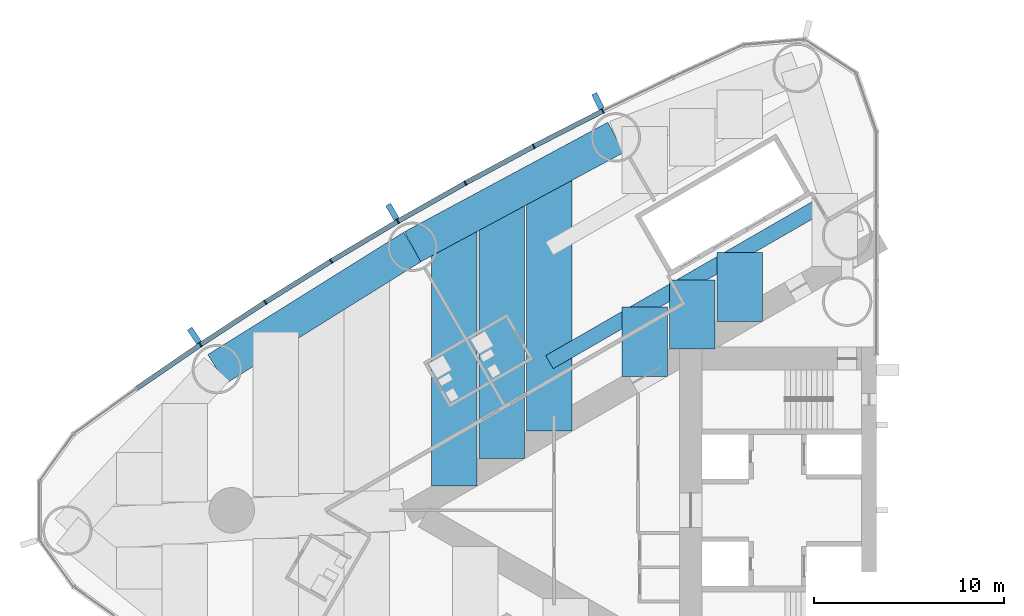
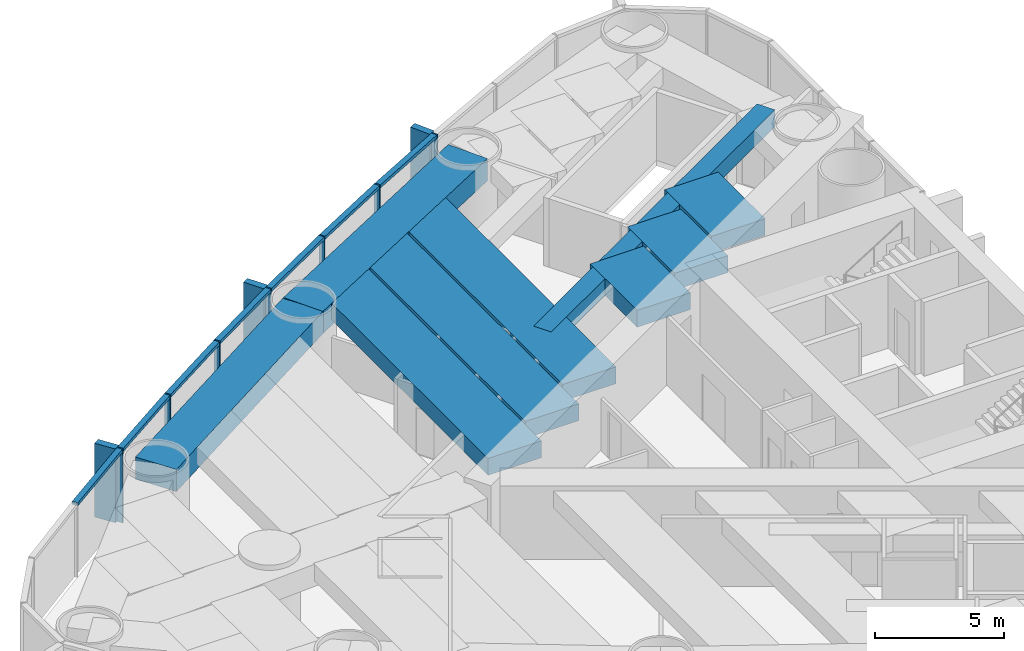
# One storey, part 4 of 19: 17 members, 9 beams, 1 element without a shape of its own.
"""IFC4 building model written with IfcOpenShell, lengths in metres."""

from ifc_helpers import new_model, si_unit, direction, frame, origin, origin_2d, place, context, subcontext, project, spatial, rectangle, hollow_rectangle, extrude, material, material_profile, profile_set, type_object, element, aggregate, save


model = new_model("IFC4")

# Units and contexts
model_context = context("Model", 3, precision=1e-05, world=origin(), true_north=direction((0.0, 1.0)))
body_context = subcontext(model_context, "Body", "Model", "MODEL_VIEW")
ifc_project = project(units=[si_unit("LENGTHUNIT", "METRE"), si_unit("AREAUNIT", "SQUARE_METRE"), si_unit("VOLUMEUNIT", "CUBIC_METRE"), si_unit("PLANEANGLEUNIT", "RADIAN"), si_unit("MASSUNIT", "GRAM", prefix="KILO")], contexts=[model_context])

# Site, building, storey
site_placement = place(None, origin())
site = spatial("IfcSite", under=ifc_project, at=site_placement, CompositionType="ELEMENT")
building_placement = place(site_placement, origin())
building = spatial("IfcBuilding", under=site, at=building_placement, Name="Lancet Gate Hotel", CompositionType="ELEMENT")
storey_placement = place(building_placement, frame((0.0, 0.0, 111.60009765625)))
storey = spatial("IfcBuildingStorey", under=building, at=storey_placement, Name="L29", CompositionType="ELEMENT", Elevation=111.60009765625)

# Curtain wall, members
ifc_material_1 = material(Name="Aluminium curtain wall", Category="aluminium")
curtain_wall_type = type_object("IfcCurtainWallType", Name="Tower unitised curtain wall", PredefinedType="USERDEFINED", material=ifc_material_1)
curtain_wall_placement = place(storey_placement, origin())
curtain_wall = element("IfcCurtainWall", 1, at=curtain_wall_placement, inside=storey, type_object=curtain_wall_type, Name="T1 L29 curtain wall 1", ObjectType="UNITISED CURTAIN WALL", PredefinedType="USERDEFINED")
ifc_material_2 = material(Name="Aluminium mullion", Category="aluminium")
ifc_material_profile_1 = material_profile(ifc_material_2, rectangle(XDim=0.06494140625, YDim=0.25, at=origin_2d()), Name="MULLION 65x250")
ifc_profile_set_1 = profile_set([ifc_material_profile_1], Name="Aluminium mullion")
member_type_1 = type_object("IfcMemberType", Name="Aluminium mullion 65x250", PredefinedType="MULLION", material=ifc_profile_set_1)
member_1_placement = place(storey_placement, frame((-41.935302734375, 21.053466796875, 0.0), z_axis=(0.0, 0.0, 1.0), x_axis=(-0.895339445458, -0.445384415317, 0.0)))
member_1 = element("IfcMember", 2, at=member_1_placement, type_object=member_type_1, Name="T1 L29 curtain wall 1 mullion 9", PredefinedType="MULLION", context=body_context, shape_type="SweptSolid", body=[
    extrude(rectangle(XDim=0.06494140625, YDim=0.25, at=origin_2d()), origin(), (0.0, 0.0, 1.0), 3.5),
])
member_2_placement = place(storey_placement, frame((-45.578857421875, 19.19189453125, 0.0), z_axis=(0.0, 0.0, 1.0), x_axis=(-0.885544335517, -0.46455487279, 0.0)))
member_2 = element("IfcMember", 3, at=member_2_placement, type_object=member_type_1, Name="T1 L29 curtain wall 1 mullion 10", PredefinedType="MULLION", context=body_context, shape_type="SweptSolid", body=[
    extrude(rectangle(XDim=0.06494140625, YDim=0.25, at=origin_2d()), origin(), (0.0, 0.0, 1.0), 3.5),
])
member_3_placement = place(storey_placement, frame((-49.181640625, 17.252197265625, 0.0), z_axis=(0.0, 0.0, 1.0), x_axis=(-0.875338819507, -0.48351003202, 0.0)))
member_3 = element("IfcMember", 4, at=member_3_placement, type_object=member_type_1, Name="T1 L29 curtain wall 1 mullion 11", PredefinedType="MULLION", context=body_context, shape_type="SweptSolid", body=[
    extrude(rectangle(XDim=0.06494140625, YDim=0.25, at=origin_2d()), origin(), (0.0, 0.0, 1.0), 3.5),
])
member_4_placement = place(storey_placement, frame((-52.74169921875, 15.2353515625, 0.0), z_axis=(0.0, 0.0, 1.0), x_axis=(-0.86472762718, -0.502241108226, 0.0)))
member_4 = element("IfcMember", 5, at=member_4_placement, type_object=member_type_1, Name="T1 L29 curtain wall 1 mullion 12", PredefinedType="MULLION", context=body_context, shape_type="SweptSolid", body=[
    extrude(rectangle(XDim=0.06494140625, YDim=0.25, at=origin_2d()), origin(), (0.0, 0.0, 1.0), 3.5),
])
member_5_placement = place(storey_placement, frame((-56.257568359375, 13.142333984375, 0.0), z_axis=(0.0, 0.0, 1.0), x_axis=(-0.853715676299, -0.52073942048, 0.0)))
member_5 = element("IfcMember", 6, at=member_5_placement, type_object=member_type_1, Name="T1 L29 curtain wall 1 mullion 13", PredefinedType="MULLION", context=body_context, shape_type="SweptSolid", body=[
    extrude(rectangle(XDim=0.06494140625, YDim=0.25, at=origin_2d()), origin(), (0.0, 0.0, 1.0), 3.5),
])
member_6_placement = place(storey_placement, frame((-59.7275390625, 10.974365234375, 0.0), z_axis=(0.0, 0.0, 1.0), x_axis=(-0.84230807036, -0.538996395727, 0.0)))
member_6 = element("IfcMember", 7, at=member_6_placement, type_object=member_type_1, Name="T1 L29 curtain wall 1 mullion 14", PredefinedType="MULLION", context=body_context, shape_type="SweptSolid", body=[
    extrude(rectangle(XDim=0.06494140625, YDim=0.25, at=origin_2d()), origin(), (0.0, 0.0, 1.0), 3.5),
])
member_7_placement = place(storey_placement, frame((-63.14990234375, 8.73193359375, 0.0), z_axis=(0.0, 0.0, 1.0), x_axis=(-0.830510096234, -0.557003572747, 0.0)))
member_7 = element("IfcMember", 8, at=member_7_placement, type_object=member_type_1, Name="T1 L29 curtain wall 1 mullion 15", PredefinedType="MULLION", context=body_context, shape_type="SweptSolid", body=[
    extrude(rectangle(XDim=0.06494140625, YDim=0.25, at=origin_2d()), origin(), (0.0, 0.0, 1.0), 3.5),
])
ifc_material_3 = material(Name="Aluminium transom", Category="aluminium")
ifc_material_profile_2 = material_profile(ifc_material_3, rectangle(XDim=0.25, YDim=0.14990234375, at=origin_2d()), Name="TRANSOM 250x150")
ifc_profile_set_2 = profile_set([ifc_material_profile_2], Name="Aluminium transom")
member_type_2 = type_object("IfcMemberType", Name="Aluminium transom 250x150", PredefinedType="USERDEFINED", material=ifc_profile_set_2)
member_8_placement = place(storey_placement, frame((-41.96435546875, 21.038818359375, 3.4248046875), z_axis=(-0.89047617483, -0.455029869415, 0.0), x_axis=(0.455029869415, -0.89047617483, 0.0)))
member_8 = element("IfcMember", 9, at=member_8_placement, type_object=member_type_2, Name="T1 L29 curtain wall 1 transom 9", ObjectType="TRANSOM", PredefinedType="USERDEFINED", context=body_context, shape_type="SweptSolid", body=[
    extrude(rectangle(XDim=0.25, YDim=0.14990234375, at=origin_2d()), origin(), (0.0, 0.0, 1.0), 4.026611328125),
])
member_9_placement = place(storey_placement, frame((-45.607421875, 19.176513671875, 3.4248046875), z_axis=(-0.880498353192, -0.474049206335, 0.0), x_axis=(0.474049206335, -0.880498353192, 0.0)))
member_9 = element("IfcMember", 10, at=member_9_placement, type_object=member_type_2, Name="T1 L29 curtain wall 1 transom 10", ObjectType="TRANSOM", PredefinedType="USERDEFINED", context=body_context, shape_type="SweptSolid", body=[
    extrude(rectangle(XDim=0.25, YDim=0.14990234375, at=origin_2d()), origin(), (0.0, 0.0, 1.0), 4.02685546875),
])
member_10_placement = place(storey_placement, frame((-49.2099609375, 17.236083984375, 3.4248046875), z_axis=(-0.870091531013, -0.492890178091, 0.0), x_axis=(0.492890178091, -0.870091531013, 0.0)))
member_10 = element("IfcMember", 11, at=member_10_placement, type_object=member_type_2, Name="T1 L29 curtain wall 1 transom 11", ObjectType="TRANSOM", PredefinedType="USERDEFINED", context=body_context, shape_type="SweptSolid", body=[
    extrude(rectangle(XDim=0.25, YDim=0.14990234375, at=origin_2d()), origin(), (0.0, 0.0, 1.0), 4.026611328125),
])
member_11_placement = place(storey_placement, frame((-52.76953125, 15.21875, 3.4248046875), z_axis=(-0.859285270342, -0.511496651186, 0.0), x_axis=(0.511496651186, -0.859285270342, 0.0)))
member_11 = element("IfcMember", 12, at=member_11_placement, type_object=member_type_2, Name="T1 L29 curtain wall 1 transom 12", ObjectType="TRANSOM", PredefinedType="USERDEFINED", context=body_context, shape_type="SweptSolid", body=[
    extrude(rectangle(XDim=0.25, YDim=0.14990234375, at=origin_2d()), origin(), (0.0, 0.0, 1.0), 4.026611328125),
])
member_12_placement = place(storey_placement, frame((-56.28515625, 13.125244140625, 3.4248046875), z_axis=(-0.848049393821, -0.529917187531, 0.0), x_axis=(0.529917187531, -0.848049393821, 0.0)))
member_12 = element("IfcMember", 13, at=member_12_placement, type_object=member_type_2, Name="T1 L29 curtain wall 1 transom 13", ObjectType="TRANSOM", PredefinedType="USERDEFINED", context=body_context, shape_type="SweptSolid", body=[
    extrude(rectangle(XDim=0.25, YDim=0.14990234375, at=origin_2d()), origin(), (0.0, 0.0, 1.0), 4.026611328125),
])
member_13_placement = place(storey_placement, frame((-59.754638671875, 10.95654296875, 3.4248046875), z_axis=(-0.83645442085, -0.548036496815, 0.0), x_axis=(0.548036496815, -0.83645442085, 0.0)))
member_13 = element("IfcMember", 14, at=member_13_placement, type_object=member_type_2, Name="T1 L29 curtain wall 1 transom 14", ObjectType="TRANSOM", PredefinedType="USERDEFINED", context=body_context, shape_type="SweptSolid", body=[
    extrude(rectangle(XDim=0.25, YDim=0.14990234375, at=origin_2d()), origin(), (0.0, 0.0, 1.0), 4.026611328125),
])
member_14_placement = place(storey_placement, frame((-63.1767578125, 8.713623046875, 3.4248046875), z_axis=(-0.824455665247, -0.565926546508, 0.0), x_axis=(0.565926546508, -0.824455665247, 0.0)))
member_14 = element("IfcMember", 15, at=member_14_placement, type_object=member_type_2, Name="T1 L29 curtain wall 1 transom 15", ObjectType="TRANSOM", PredefinedType="USERDEFINED", context=body_context, shape_type="SweptSolid", body=[
    extrude(rectangle(XDim=0.25, YDim=0.14990234375, at=origin_2d()), origin(), (0.0, 0.0, 1.0), 4.026611328125),
])

# Beams
ifc_material_4 = material(Name="Concrete C50/60", Category="concrete")
ifc_material_profile_3 = material_profile(ifc_material_4, rectangle(XDim=1.800048828125, YDim=1.050048828125, at=origin_2d()), Name="RC 1800x1050")
ifc_profile_set_3 = profile_set([ifc_material_profile_3], Name="Concrete C50/60")
beam_type_1 = type_object("IfcBeamType", Name="Edge beam RC 1800x1050", PredefinedType="SPANDREL", material=ifc_profile_set_3)
for number, where, z_axis, x_axis, name in (
    (16, (-41.244873046875, 19.665771484375, 2.724853515625), (-0.880492350889, -0.474060354835, 0.0), (0.474060354835, -0.880492350889, 0.0), "T1 edge beam EB1 L29"),
    (17, (-51.963134765625, 13.89501953125, 2.724853515625), (-0.848062521637, -0.529896177939, 0.0), (0.529896177939, -0.848062521637, 0.0), "T1 edge beam EB1 L29"),
):
    element("IfcBeam", number, at=place(storey_placement, frame(where, z_axis=z_axis, x_axis=x_axis)), inside=storey, type_object=beam_type_1, Name=name, PredefinedType="SPANDREL", context=body_context, shape_type="SweptSolid", body=[
        extrude(rectangle(XDim=1.800048828125, YDim=1.050048828125, at=origin_2d()), origin(), (0.0, 0.0, 1.0), 12.173095703125),
    ])

# Member
ifc_material_5 = material(Name="Precast concrete C50/60", Category="concrete")
ifc_material_profile_4 = material_profile(ifc_material_5, rectangle(XDim=0.300048828125, YDim=0.89990234375, at=origin_2d()), Name="FIN 300x900")
ifc_profile_set_4 = profile_set([ifc_material_profile_4], Name="Precast concrete C50/60")
member_type_3 = type_object("IfcMemberType", Name="Exposed concrete fin 300x900", PredefinedType="USERDEFINED", material=ifc_profile_set_4)
member_15_placement = place(storey_placement, frame((-42.19140625, 21.568359375, 0.0), z_axis=(0.0, 0.0, 1.0), x_axis=(-0.895339445458, -0.445384415317, 0.0)))
member_15 = element("IfcMember", 18, at=member_15_placement, type_object=member_type_3, Name="T1 L29 curtain wall 1 fin 9", ObjectType="FIN", PredefinedType="USERDEFINED", context=body_context, shape_type="SweptSolid", body=[
    extrude(rectangle(XDim=0.300048828125, YDim=0.89990234375, at=origin_2d()), origin(), (0.0, 0.0, 1.0), 3.5),
])

member_16_placement = place(storey_placement, frame((-53.030517578125, 15.732666015625, 0.0), z_axis=(0.0, 0.0, 1.0), x_axis=(-0.86472762718, -0.502241108226, 0.0)))
member_16 = element("IfcMember", 19, at=member_16_placement, type_object=member_type_3, Name="T1 L29 curtain wall 1 fin 12", ObjectType="FIN", PredefinedType="USERDEFINED", context=body_context, shape_type="SweptSolid", body=[
    extrude(rectangle(XDim=0.300048828125, YDim=0.89990234375, at=origin_2d()), origin(), (0.0, 0.0, 1.0), 3.5),
])

member_17_placement = place(storey_placement, frame((-63.47021484375, 9.20947265625, 0.0), z_axis=(0.0, 0.0, 1.0), x_axis=(-0.830510096234, -0.557003572747, 0.0)))
member_17 = element("IfcMember", 20, at=member_17_placement, type_object=member_type_3, Name="T1 L29 curtain wall 1 fin 15", ObjectType="FIN", PredefinedType="USERDEFINED", context=body_context, shape_type="SweptSolid", body=[
    extrude(rectangle(XDim=0.300048828125, YDim=0.89990234375, at=origin_2d()), origin(), (0.0, 0.0, 1.0), 3.5),
])

aggregate(curtain_wall, [member_1, member_15, member_2, member_3, member_4, member_16, member_5, member_6, member_7, member_17, member_8, member_9, member_10, member_11, member_12, member_13, member_14])

# Beams
ifc_material_6 = material(Name="Concrete C50/60", Category="concrete")
ifc_material_profile_5 = material_profile(ifc_material_6, rectangle(XDim=2.39990234375, YDim=0.800048828125, at=origin_2d()), Name="RC 2400x800")
ifc_profile_set_5 = profile_set([ifc_material_profile_5], Name="Concrete C50/60")
beam_type_2 = type_object("IfcBeamType", Name="Floor beam RC 2400x800", PredefinedType="BEAM", material=ifc_profile_set_5)
beam_1_placement = place(storey_placement, frame((-44.747802734375, 17.77978515625, 2.849853515625), z_axis=(0.0, -1.0, 0.0), x_axis=(1.0, 0.0, 0.0)))
element("IfcBeam", 21, at=beam_1_placement, inside=storey, type_object=beam_type_2, Name="T1 floor beam F09S L29", PredefinedType="BEAM", context=body_context, shape_type="SweptSolid", body=[
    extrude(rectangle(XDim=2.39990234375, YDim=0.800048828125, at=origin_2d()), origin(), (0.0, 0.0, 1.0), 13.611083984375),
])
beam_2_placement = place(storey_placement, frame((-47.254638671875, 16.43017578125, 2.849853515625), z_axis=(0.0, -1.0, 0.0), x_axis=(1.0, 0.0, 0.0)))
element("IfcBeam", 22, at=beam_2_placement, inside=storey, type_object=beam_type_2, Name="T1 floor beam F10S L29", PredefinedType="BEAM", context=body_context, shape_type="SweptSolid", body=[
    extrude(rectangle(XDim=2.39990234375, YDim=0.800048828125, at=origin_2d()), origin(), (0.0, 0.0, 1.0), 13.708740234375),
])
beam_3_placement = place(storey_placement, frame((-49.761474609375, 15.08056640625, 2.849853515625), z_axis=(0.0, -1.0, 0.0), x_axis=(1.0, 0.0, 0.0)))
element("IfcBeam", 23, at=beam_3_placement, inside=storey, type_object=beam_type_2, Name="T1 floor beam F12S L29", PredefinedType="BEAM", context=body_context, shape_type="SweptSolid", body=[
    extrude(rectangle(XDim=2.39990234375, YDim=0.800048828125, at=origin_2d()), origin(), (0.0, 0.0, 1.0), 13.806396484375),
])
beam_4_placement = place(storey_placement, frame((-34.720458984375, 13.603759765625, 2.849853515625), z_axis=(0.0, -1.0, 0.0), x_axis=(1.0, 0.0, 0.0)))
element("IfcBeam", 24, at=beam_4_placement, inside=storey, type_object=beam_type_2, Name="T1 floor beam F04SB L29", PredefinedType="BEAM", context=body_context, shape_type="SweptSolid", body=[
    extrude(rectangle(XDim=2.39990234375, YDim=0.800048828125, at=origin_2d()), origin(), (0.0, 0.0, 1.0), 3.645751953125),
])
beam_5_placement = place(storey_placement, frame((-37.227294921875, 12.15625, 2.849853515625), z_axis=(0.0, -1.0, 0.0), x_axis=(1.0, 0.0, 0.0)))
element("IfcBeam", 25, at=beam_5_placement, inside=storey, type_object=beam_type_2, Name="T1 floor beam F05SB L29", PredefinedType="BEAM", context=body_context, shape_type="SweptSolid", body=[
    extrude(rectangle(XDim=2.39990234375, YDim=0.800048828125, at=origin_2d()), origin(), (0.0, 0.0, 1.0), 3.6455078125),
])
beam_6_placement = place(storey_placement, frame((-39.734130859375, 10.708740234375, 2.849853515625), z_axis=(0.0, -1.0, 0.0), x_axis=(1.0, 0.0, 0.0)))
element("IfcBeam", 26, at=beam_6_placement, inside=storey, type_object=beam_type_2, Name="T1 floor beam F07SB L29", PredefinedType="BEAM", context=body_context, shape_type="SweptSolid", body=[
    extrude(rectangle(XDim=2.39990234375, YDim=0.800048828125, at=origin_2d()), origin(), (0.0, 0.0, 1.0), 3.645263671875),
])
ifc_material_7 = material(Name="Steel S460QL", Category="steel")
ifc_material_profile_6 = material_profile(ifc_material_7, hollow_rectangle(XDim=0.800048828125, YDim=0.800048828125, WallThickness=0.080078125, at=origin_2d()), Name="BOX 800x800x80")
ifc_profile_set_6 = profile_set([ifc_material_profile_6], Name="Steel S460QL")
beam_type_3 = type_object("IfcBeamType", Name="Trimmer beam BOX 800x800x80", PredefinedType="BEAM", material=ifc_profile_set_6)
beam_7_placement = place(storey_placement, frame((-29.706787109375, 16.49853515625, 2.849853515625), z_axis=(-0.866003462672, -0.500038001195, 0.0), x_axis=(0.500038001195, -0.866003462672, 0.0)))
element("IfcBeam", 27, at=beam_7_placement, inside=storey, type_object=beam_type_3, Name="T1 trimmer beam TR02S L29", PredefinedType="BEAM", context=body_context, shape_type="SweptSolid", body=[
    extrude(hollow_rectangle(XDim=0.800048828125, YDim=0.800048828125, WallThickness=0.080078125, at=origin_2d()), origin(), (0.0, 0.0, 1.0), 17.368408203125),
])

save(model, "model.ifc")
